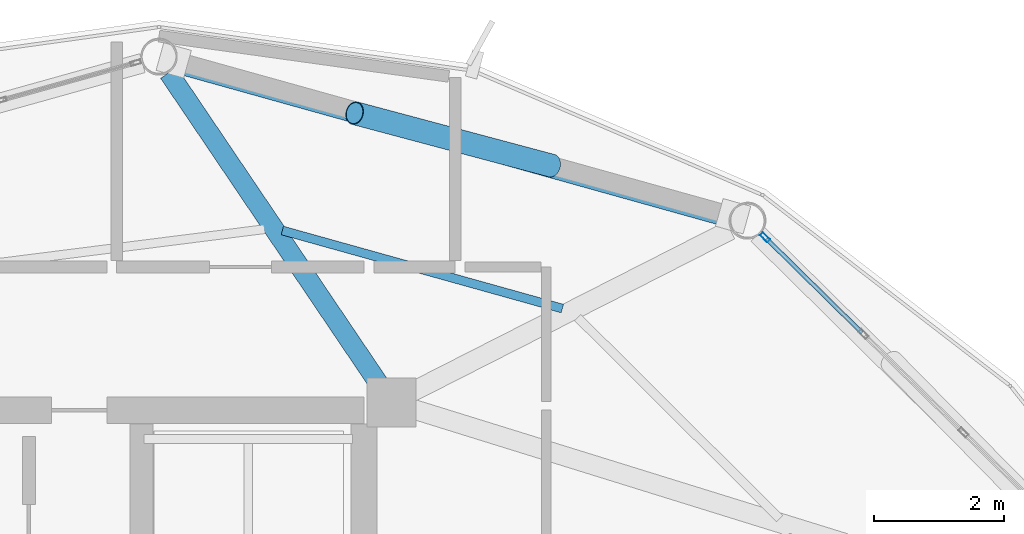
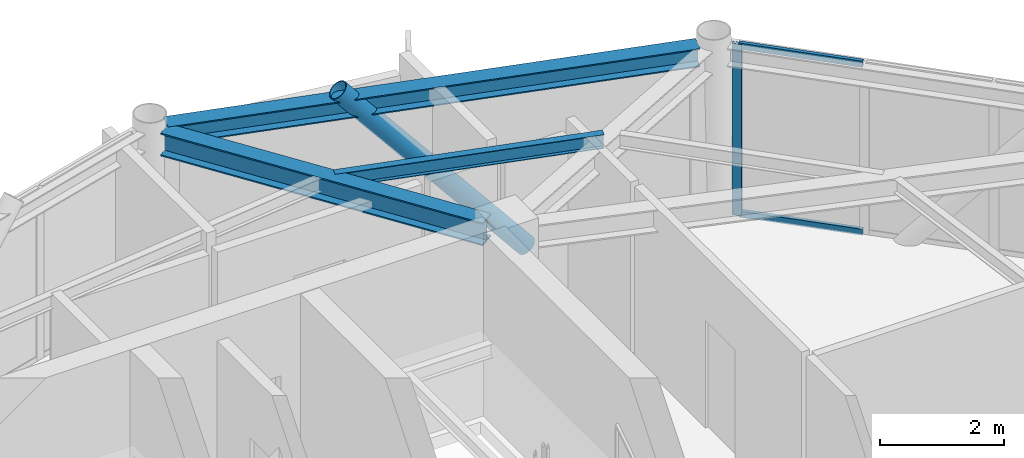
# One storey, part 19 of 27: 4 members, 3 beams, 1 element without a shape of its own.
"""IFC4 building model written with IfcOpenShell, lengths in metres."""

from ifc_helpers import new_model, si_unit, direction, frame, origin, origin_2d, place, context, subcontext, project, spatial, hollow_rectangle, hollow_circle, i_section, extrude, material, layer, layer_set, material_profile, profile_set, type_object, element, aggregate, save


model = new_model("IFC4")

# Units and contexts
model_context = context("Model", 3, precision=1e-05, world=origin(), true_north=direction((0.0, 1.0)))
body_context = subcontext(model_context, "Body", "Model", "MODEL_VIEW")
ifc_project = project(units=[si_unit("LENGTHUNIT", "METRE"), si_unit("AREAUNIT", "SQUARE_METRE"), si_unit("VOLUMEUNIT", "CUBIC_METRE"), si_unit("PLANEANGLEUNIT", "RADIAN"), si_unit("MASSUNIT", "GRAM", prefix="KILO")], contexts=[model_context])

# Site, building, storey
site_placement = place(None, origin())
site = spatial("IfcSite", under=ifc_project, at=site_placement, CompositionType="ELEMENT")
building_placement = place(site_placement, origin())
building = spatial("IfcBuilding", under=site, at=building_placement, Name="Varnakorn Sky Granary", CompositionType="ELEMENT")
storey_placement = place(building_placement, frame((0.0, 0.0, 263.39990234375)))
storey = spatial("IfcBuildingStorey", under=building, at=storey_placement, Name="L67", CompositionType="ELEMENT", Elevation=263.39990234375)

# Beams
ifc_material_1 = material(Name="Steel S355JR", Category="steel")
ifc_material_profile_1 = material_profile(ifc_material_1, i_section(OverallWidth=0.300048828125, OverallDepth=0.449951171875, WebThickness=0.013916015625, FlangeThickness=0.02587890625, at=origin_2d()), Name="HE 450 B")
ifc_profile_set_1 = profile_set([ifc_material_profile_1], Name="Steel S355JR")
beam_type_1 = type_object("IfcBeamType", Name="BM-RAD-Z5", PredefinedType="BEAM", material=ifc_profile_set_1)
beam_1_placement = place(storey_placement, frame((8.22119140625, 12.9140625, 3.135009765625), z_axis=(-0.559895970959, 0.828562913546, 0.0), x_axis=(-0.828562913546, -0.559895970959, 0.0)))
element("IfcBeam", 1, at=beam_1_placement, inside=storey, type_object=beam_type_1, Name="Radial Floor Girder RG04 L67", PredefinedType="BEAM", context=body_context, shape_type="SweptSolid", body=[
    extrude(i_section(OverallWidth=0.300048828125, OverallDepth=0.449951171875, WebThickness=0.013916015625, FlangeThickness=0.02587890625, at=origin_2d()), origin(), (0.0, 0.0, 1.0), 5.756591796875),
])
ifc_material_profile_2 = material_profile(ifc_material_1, i_section(OverallWidth=0.135009765625, OverallDepth=0.27001953125, WebThickness=0.006591796875, FlangeThickness=0.01025390625, at=origin_2d()), Name="IPE 270")
ifc_profile_set_2 = profile_set([ifc_material_profile_2], Name="Steel S355JR")
beam_type_2 = type_object("IfcBeamType", Name="BM-SEC-Z5", PredefinedType="BEAM", material=ifc_profile_set_2)
beam_2_placement = place(storey_placement, frame((11.045654296875, 14.06201171875, 3.22509765625), z_axis=(-0.963262112741, 0.268563032001, 0.0), x_axis=(-0.268563032001, -0.963262112741, 0.0)))
element("IfcBeam", 2, at=beam_2_placement, inside=storey, type_object=beam_type_2, Name="Secondary Floor Chord Beam MSB03 L67", PredefinedType="BEAM", context=body_context, shape_type="SweptSolid", body=[
    extrude(i_section(OverallWidth=0.135009765625, OverallDepth=0.27001953125, WebThickness=0.006591796875, FlangeThickness=0.01025390625, at=origin_2d()), origin(), (0.0, 0.0, 1.0), 4.46533203125),
])
ifc_material_profile_3 = material_profile(ifc_material_1, i_section(OverallWidth=0.300048828125, OverallDepth=0.360107421875, WebThickness=0.012451171875, FlangeThickness=0.0224609375, at=origin_2d()), Name="HE 360 B")
ifc_profile_set_3 = profile_set([ifc_material_profile_3], Name="Steel S355JR")
beam_type_3 = type_object("IfcBeamType", Name="BM-SPD-Z5", PredefinedType="SPANDREL", material=ifc_profile_set_3)
beam_3_placement = place(storey_placement, frame((13.605712890625, 15.45849609375, 3.18017578125), z_axis=(-0.963169148577, 0.268896246218, 0.0), x_axis=(-0.268896246218, -0.963169148577, 0.0)))
element("IfcBeam", 3, at=beam_3_placement, inside=storey, type_object=beam_type_3, Name="Perimeter Spandrel Ring Beam RB03 L67", PredefinedType="SPANDREL", context=body_context, shape_type="SweptSolid", body=[
    extrude(i_section(OverallWidth=0.300048828125, OverallDepth=0.360107421875, WebThickness=0.012451171875, FlangeThickness=0.0224609375, at=origin_2d()), origin(), (0.0, 0.0, 1.0), 8.825927734375),
])

# Curtain wall, members
ifc_material_2 = material(Name="Anodised Bronze Aluminium Alloy 6063-T6", Category="aluminium")
ifc_layer = layer(ifc_material_2, 0.159912109375, Name="Anodised Bronze Aluminium Alloy 6063-T6")
ifc_layer_set = layer_set([ifc_layer], Name="Anodised Bronze Aluminium Alloy 6063-T6")
curtain_wall_type = type_object("IfcCurtainWallType", Name="CW-OFF-1", PredefinedType="USERDEFINED", material=ifc_layer_set)
curtain_wall_placement = place(storey_placement, origin())
curtain_wall = element("IfcCurtainWall", 4, at=curtain_wall_placement, inside=storey, type_object=curtain_wall_type, Name="Unitised Curtain Wall CW6 CW-L67-B02", ObjectType="CURTAIN WALL", PredefinedType="USERDEFINED")
ifc_material_profile_4 = material_profile(ifc_material_2, hollow_rectangle(XDim=0.06494140625, YDim=0.159912109375, WallThickness=0.00341796875, at=origin_2d()), Name="ALU MULL 65x160")
ifc_profile_set_4 = profile_set([ifc_material_profile_4], Name="Anodised Bronze Aluminium Alloy 6063-T6")
member_type_1 = type_object("IfcMemberType", Name="CW-OFF-1-MULL", PredefinedType="MULLION", material=ifc_profile_set_4)
member_1_placement = place(storey_placement, frame((14.15966796875, 15.156005859375, 0.0), z_axis=(0.0, 0.0, 1.0), x_axis=(0.701440030116, 0.71272847856, 0.0)))
member_1 = element("IfcMember", 5, at=member_1_placement, type_object=member_type_1, Name="CW6 mullion 1", PredefinedType="MULLION", context=body_context, shape_type="SweptSolid", body=[
    extrude(hollow_rectangle(XDim=0.06494140625, YDim=0.159912109375, WallThickness=0.00341796875, at=origin_2d()), origin(), (0.0, 0.0, 1.0), 3.360107421875),
])
ifc_material_profile_5 = material_profile(ifc_material_2, hollow_rectangle(XDim=0.06494140625, YDim=0.1201171875, WallThickness=0.00341796875, at=origin_2d()), Name="ALU TRAN 65x120")
ifc_profile_set_5 = profile_set([ifc_material_profile_5], Name="Anodised Bronze Aluminium Alloy 6063-T6")
member_type_2 = type_object("IfcMemberType", Name="CW-OFF-1-TRAN", PredefinedType="USERDEFINED", material=ifc_profile_set_5)
member_2_placement = place(storey_placement, frame((14.182861328125, 15.13330078125, 0.03271484375), z_axis=(0.712726688357, -0.701441849125, 0.0), x_axis=(0.701441849125, 0.712726688357, 0.0)))
member_2 = element("IfcMember", 6, at=member_2_placement, type_object=member_type_2, Name="CW6 transom 1.1", ObjectType="TRANSOM", PredefinedType="USERDEFINED", context=body_context, shape_type="SweptSolid", body=[
    extrude(hollow_rectangle(XDim=0.06494140625, YDim=0.1201171875, WallThickness=0.00341796875, at=origin_2d()), origin(), (0.0, 0.0, 1.0), 2.05517578125),
])
member_3_placement = place(storey_placement, frame((14.182861328125, 15.13330078125, 3.32763671875), z_axis=(0.712726688357, -0.701441849125, 0.0), x_axis=(0.701441849125, 0.712726688357, 0.0)))
member_3 = element("IfcMember", 7, at=member_3_placement, type_object=member_type_2, Name="CW6 transom 1.2", ObjectType="TRANSOM", PredefinedType="USERDEFINED", context=body_context, shape_type="SweptSolid", body=[
    extrude(hollow_rectangle(XDim=0.06494140625, YDim=0.1201171875, WallThickness=0.00341796875, at=origin_2d()), origin(), (0.0, 0.0, 1.0), 2.05517578125),
])
aggregate(curtain_wall, [member_1, member_2, member_3])

# Member
ifc_material_3 = material(Name="Steel S460M", Category="steel")
ifc_material_profile_6 = material_profile(ifc_material_3, hollow_circle(Radius=0.177734375, WallThickness=0.01416015625, at=origin_2d()), Name="CHS 355.6x14")
ifc_profile_set_6 = profile_set([ifc_material_profile_6], Name="Steel S460M")
member_type_3 = type_object("IfcMemberType", Name="MB-DIAG-T5", PredefinedType="BRACE", material=ifc_profile_set_6)
member_4_placement = place(storey_placement, frame((10.879638671875, 16.257080078125, -0.1298828125), z_axis=(-0.632190475095, 0.168669132807, 0.75623139768), x_axis=(-0.257783941573, -0.966202587177, 0.0)))
element("IfcMember", 8, at=member_4_placement, inside=storey, type_object=member_type_3, Name="Perimeter CHS Diagrid Brace DG03 L67", PredefinedType="BRACE", context=body_context, shape_type="SweptSolid", body=[
    extrude(hollow_circle(Radius=0.177734375, WallThickness=0.01416015625, at=origin_2d()), origin(), (0.0, 0.0, 1.0), 4.78662109375),
])

save(model, "model.ifc")
